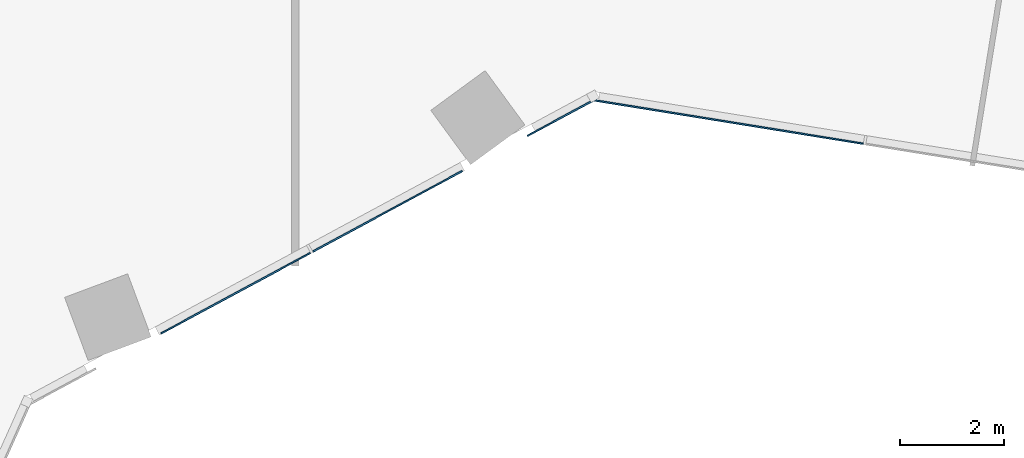
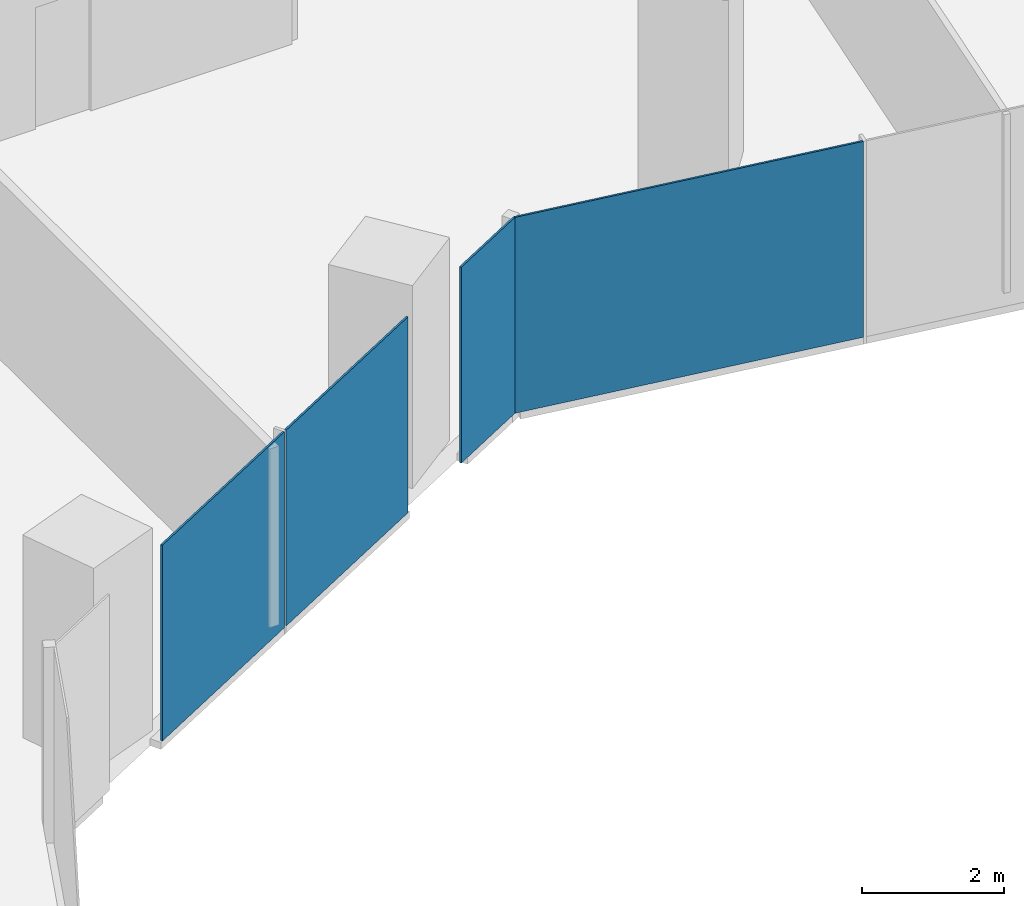
# One storey, part 20 of 34: 4 plates, 2 elements without a shape of their own.
"""IFC4 building model written with IfcOpenShell, lengths in metres."""

from ifc_helpers import new_model, si_unit, direction, frame, origin, origin_2d, place, context, subcontext, project, spatial, rectangle, extrude, material, layer, layer_set, type_object, element, aggregate, save


model = new_model("IFC4")

# Units and contexts
model_context = context("Model", 3, precision=1e-05, world=origin(), true_north=direction((0.0, 1.0)))
body_context = subcontext(model_context, "Body", "Model", "MODEL_VIEW")
ifc_project = project(units=[si_unit("LENGTHUNIT", "METRE"), si_unit("AREAUNIT", "SQUARE_METRE"), si_unit("VOLUMEUNIT", "CUBIC_METRE"), si_unit("PLANEANGLEUNIT", "RADIAN"), si_unit("MASSUNIT", "GRAM", prefix="KILO")], contexts=[model_context])

# Site, building, storey
site_placement = place(None, origin())
site = spatial("IfcSite", under=ifc_project, at=site_placement, CompositionType="ELEMENT")
building_placement = place(site_placement, origin())
building = spatial("IfcBuilding", under=site, at=building_placement, Name="Orlundy Tower", CompositionType="ELEMENT")
storey_placement = place(building_placement, frame((0.0, 0.0, 130.699951171875)))
storey = spatial("IfcBuildingStorey", under=building, at=storey_placement, Name="L33", CompositionType="ELEMENT", Elevation=130.699951171875)

# Curtain wall, plate
ifc_material_1 = material(Name="Aluminium bronze anodised", Category="aluminium")
curtain_wall_type = type_object("IfcCurtainWallType", Name="CW1 wall", PredefinedType="NOTDEFINED", material=ifc_material_1)
curtain_wall_1_placement = place(storey_placement, origin())
curtain_wall_1 = element("IfcCurtainWall", 1, at=curtain_wall_1_placement, inside=storey, type_object=curtain_wall_type, Name="CW1 run 016", PredefinedType="NOTDEFINED")
ifc_material_2 = material(Name="Tinted glass", Category="glass")
ifc_layer = layer(ifc_material_2, 0.031982421875)
ifc_layer_set = layer_set([ifc_layer], Name="CW1 glass panel 32")
plate_type = type_object("IfcPlateType", Name="CW1 glass panel 32", PredefinedType="CURTAIN_PANEL", material=ifc_layer_set)
plate_1_placement = place(storey_placement, frame((22.3662109375, -24.033935546875, -0.27978515625), z_axis=(0.0, 0.0, 1.0), x_axis=(-0.987228432558, 0.159311085453, 0.0)))
plate_1 = element("IfcPlate", 2, at=plate_1_placement, type_object=plate_type, Name="CW1 panel", PredefinedType="CURTAIN_PANEL", context=body_context, shape_type="SweptSolid", body=[
    extrude(rectangle(XDim=5.276123046875, YDim=0.031982421875, at=origin_2d()), origin(), (0.0, 0.0, 1.0), 3.3798828125),
])
aggregate(curtain_wall_1, [plate_1])

# Curtain wall, plates
curtain_wall_2_placement = place(storey_placement, origin())
curtain_wall_2 = element("IfcCurtainWall", 3, at=curtain_wall_2_placement, inside=storey, type_object=curtain_wall_type, Name="CW1 run 017", PredefinedType="NOTDEFINED")
plate_2_placement = place(storey_placement, frame((19.1240234375, -23.957763671875, -0.27978515625), z_axis=(0.0, 0.0, 1.0), x_axis=(-0.88019320423, -0.474615553081, 0.0)))
plate_2 = element("IfcPlate", 4, at=plate_2_placement, type_object=plate_type, Name="CW1 panel", PredefinedType="CURTAIN_PANEL", context=body_context, shape_type="SweptSolid", body=[
    extrude(rectangle(XDim=1.44921875, YDim=0.031982421875, at=origin_2d()), origin(), (0.0, 0.0, 1.0), 3.3798828125),
])
plate_3_placement = place(storey_placement, frame((15.7822265625, -25.759765625, -0.27978515625), z_axis=(0.0, 0.0, 1.0), x_axis=(-0.88019320423, -0.474615553081, 0.0)))
plate_3 = element("IfcPlate", 5, at=plate_3_placement, type_object=plate_type, Name="CW1 panel", PredefinedType="CURTAIN_PANEL", context=body_context, shape_type="SweptSolid", body=[
    extrude(rectangle(XDim=3.28173828125, YDim=0.031982421875, at=origin_2d()), origin(), (0.0, 0.0, 1.0), 3.3798828125),
])
plate_4_placement = place(storey_placement, frame((12.849609375, -27.341064453125, -0.27978515625), z_axis=(0.0, 0.0, 1.0), x_axis=(-0.88019320423, -0.474615553081, 0.0)))
plate_4 = element("IfcPlate", 6, at=plate_4_placement, type_object=plate_type, Name="CW1 panel", PredefinedType="CURTAIN_PANEL", context=body_context, shape_type="SweptSolid", body=[
    extrude(rectangle(XDim=3.28173828125, YDim=0.031982421875, at=origin_2d()), origin(), (0.0, 0.0, 1.0), 3.3798828125),
])
aggregate(curtain_wall_2, [plate_2, plate_3, plate_4])

save(model, "model.ifc")
